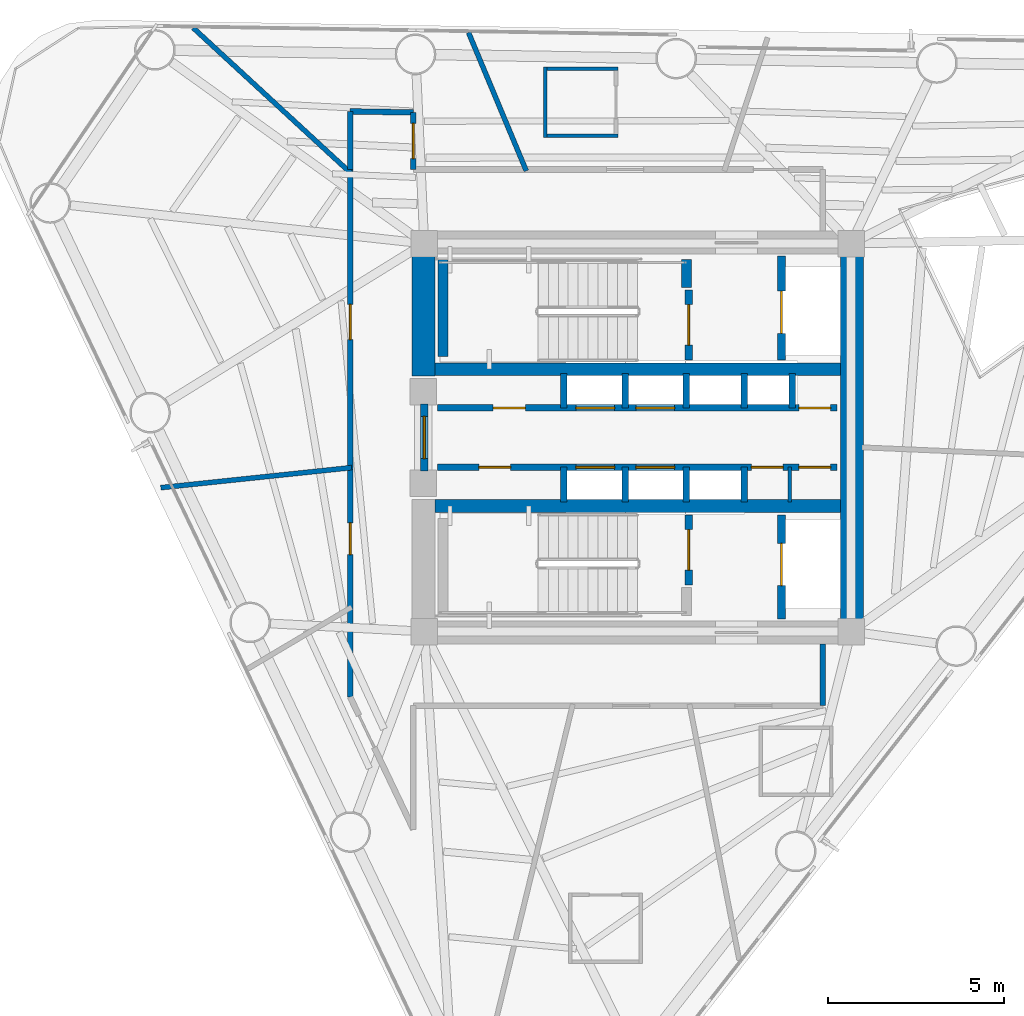
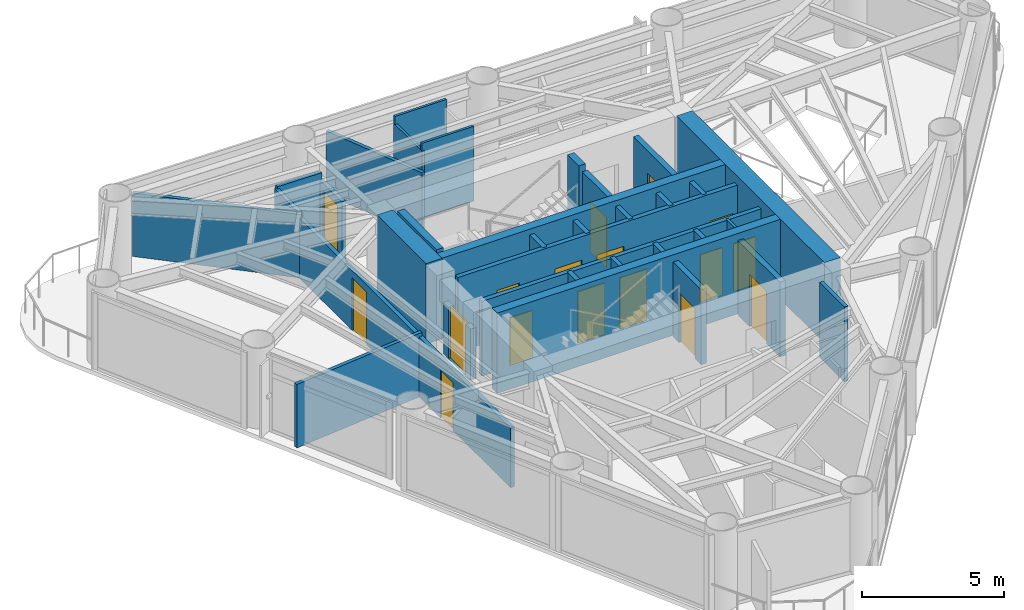
# One storey, part 6 of 10: 34 walls, 17 doors, 17 openings.
"""IFC4 building model written with IfcOpenShell, lengths in metres."""

from ifc_helpers import new_model, si_unit, direction, frame, frame_2d, origin, place, context, subcontext, project, spatial, rectangle, extrude, material, layer, layer_set, type_object, element, fill, save


model = new_model("IFC4")

# Units and contexts
model_context = context("Model", 3, precision=1e-05, world=origin(), true_north=direction((0.0, 1.0)))
body_context = subcontext(model_context, "Body", "Model", "MODEL_VIEW")
ifc_project = project(units=[si_unit("LENGTHUNIT", "METRE"), si_unit("AREAUNIT", "SQUARE_METRE"), si_unit("VOLUMEUNIT", "CUBIC_METRE"), si_unit("PLANEANGLEUNIT", "RADIAN"), si_unit("MASSUNIT", "GRAM", prefix="KILO")], contexts=[model_context])

# Site, building, storey
site_placement = place(None, origin())
site = spatial("IfcSite", under=ifc_project, at=site_placement, CompositionType="ELEMENT")
building_placement = place(site_placement, origin())
building = spatial("IfcBuilding", under=site, at=building_placement, Name="Yunling Apex Tower", CompositionType="ELEMENT")
storey_placement = place(building_placement, frame((0.0, 0.0, 215.60009765625)))
storey = spatial("IfcBuildingStorey", under=building, at=storey_placement, Name="L53", CompositionType="ELEMENT", Elevation=215.60009765625)

# Walls
ifc_material_1 = material(Name="Concrete C50", Category="concrete")
ifc_layer_1 = layer(ifc_material_1, 0.64990234375)
ifc_layer_set_1 = layer_set([ifc_layer_1], Name="Concrete C50")
wall_type_1 = type_object("IfcWallType", Name="WL-COR-2", PredefinedType="SHEAR", material=ifc_layer_set_1)
wall_1_placement = place(storey_placement, frame((6.074951171875, -5.199951171875, 0.0), z_axis=(0.0, 0.0, 1.0), x_axis=(0.0, 1.0, 0.0)))
element("IfcWall", 1, at=wall_1_placement, inside=storey, type_object=wall_type_1, Name="L53 East Core Shear Wall", PredefinedType="SHEAR", context=body_context, shape_type="SweptSolid", body=[
    extrude(rectangle(XDim=10.39990234375, YDim=0.64990234375, at=frame_2d((5.199951171875, 0.0))), origin(), (0.0, 0.0, 1.0), 3.449951171875),
])
wall_2_placement = place(storey_placement, frame((-6.074951171875, 1.75, 0.0), z_axis=(0.0, 0.0, 1.0), x_axis=(0.0, 1.0, 0.0)))
element("IfcWall", 2, at=wall_2_placement, inside=storey, type_object=wall_type_1, Name="L53 West-North Core Shear Wall", PredefinedType="SHEAR", context=body_context, shape_type="SweptSolid", body=[
    extrude(rectangle(XDim=3.449951171875, YDim=0.64990234375, at=frame_2d((1.72509765625, 0.0))), origin(), (0.0, 0.0, 1.0), 3.449951171875),
])
ifc_material_2 = material(Name="Concrete C40", Category="concrete")
ifc_layer_2 = layer(ifc_material_2, 0.360107421875)
ifc_layer_set_2 = layer_set([ifc_layer_2], Name="Concrete C40")
wall_type_2 = type_object("IfcWallType", Name="WL-COR-4", PredefinedType="SHEAR", material=ifc_layer_set_2)
for number, where, z_axis, x_axis, name in (
    (3, (-5.75, 1.93994140625, 0.0), (0.0, 0.0, 1.0), (1.0, 0.0, 0.0), "L53 North Internal Core Shear Wall"),
    (4, (-5.75, -1.93994140625, 0.0), (0.0, 0.0, 1.0), (1.0, 0.0, 0.0), "L53 South Internal Core Shear Wall"),
):
    element("IfcWall", number, at=place(storey_placement, frame(where, z_axis=z_axis, x_axis=x_axis)), inside=storey, type_object=wall_type_2, Name=name, PredefinedType="SHEAR", context=body_context, shape_type="SweptSolid", body=[
        extrude(rectangle(XDim=11.5, YDim=0.360107421875, at=frame_2d((5.75, 0.0))), origin(), (0.0, 0.0, 1.0), 3.449951171875),
    ])
ifc_layer_3 = layer(ifc_material_2, 0.280029296875)
ifc_layer_set_3 = layer_set([ifc_layer_3], Name="Concrete C40")
wall_type_3 = type_object("IfcWallType", Name="WL-COR-8", PredefinedType="SHEAR", material=ifc_layer_set_3)
wall_3_placement = place(storey_placement, frame((-5.52001953125, 2.300048828125, 0.0), z_axis=(0.0, 0.0, 1.0), x_axis=(0.0, 1.0, 0.0)))
element("IfcWall", 5, at=wall_3_placement, inside=storey, type_object=wall_type_3, Name="L53 ST-1 West Landing Bearing Wall", PredefinedType="SHEAR", context=body_context, shape_type="SweptSolid", body=[
    extrude(rectangle(XDim=2.75, YDim=0.280029296875, at=frame_2d((1.375, 0.0))), origin(), (0.0, 0.0, 1.0), 3.449951171875),
])
wall_4_placement = place(storey_placement, frame((1.3798828125, 4.25, 0.0), z_axis=(0.0, 0.0, 1.0), x_axis=(0.0, 1.0, 0.0)))
element("IfcWall", 6, at=wall_4_placement, inside=storey, type_object=wall_type_3, Name="L53 ST-1 East Landing Bearing Pier", PredefinedType="SHEAR", context=body_context, shape_type="SweptSolid", body=[
    extrude(rectangle(XDim=0.800048828125, YDim=0.280029296875, at=frame_2d((0.39990234375, 0.0))), origin(), (0.0, 0.0, 1.0), 3.449951171875),
])

# Wall, openings, doors
ifc_material_3 = material(Name="Gypsum board acoustic partition")
ifc_layer_4 = layer(ifc_material_3, 0.159912109375)
ifc_layer_set_4 = layer_set([ifc_layer_4], Name="Gypsum board acoustic partition")
wall_type_4 = type_object("IfcWallType", Name="WL-PRT-1", PredefinedType="PARTITIONING", material=ifc_layer_set_4)
wall_5_placement = place(storey_placement, frame((-8.14990234375, -7.35546875, 0.0), z_axis=(0.0, 0.0, 1.0), x_axis=(0.0, 1.0, 0.0)))
wall_5 = element("IfcWall", 7, at=wall_5_placement, inside=storey, type_object=wall_type_4, Name="WL-CORR-L53-02", PredefinedType="PARTITIONING", context=body_context, shape_type="SweptSolid", body=[
    extrude(rectangle(XDim=14.95556640625, YDim=0.159912109375, at=frame_2d((7.477783203125, 0.0))), origin(), (0.0, 0.0, 1.0), 2.56494140625),
])
opening_1_placement = place(wall_5_placement, frame((4.0341796875, 0.0, 0.0)))
opening_1 = element("IfcOpeningElement", 8, at=opening_1_placement, cuts=wall_5, Name="Opening DR-SHF-1", PredefinedType="OPENING", context=body_context, shape_type="SweptSolid", body=[
    extrude(rectangle(XDim=0.89990234375, YDim=2.050048828125, at=frame_2d((0.449951171875, 1.02490234375))), frame((0.0, 0.08984375, 0.0), z_axis=(0.0, -1.0, 0.0), x_axis=(1.0, 0.0, 0.0)), (0.0, 0.0, 1.0), 0.179931640625),
])
opening_2_placement = place(wall_5_placement, frame((10.129150390625, 0.0, 0.0)))
opening_2 = element("IfcOpeningElement", 9, at=opening_2_placement, cuts=wall_5, Name="Opening DR-OFF-1", PredefinedType="OPENING", context=body_context, shape_type="SweptSolid", body=[
    extrude(rectangle(XDim=1.0, YDim=2.25, at=frame_2d((0.5, 1.125))), frame((0.0, 0.08984375, 0.0), z_axis=(0.0, -1.0, 0.0), x_axis=(1.0, 0.0, 0.0)), (0.0, 0.0, 1.0), 0.179931640625),
])
ifc_material_4 = material(Name="Bronze anodised aluminium", Category="aluminium")
door_type_1 = type_object("IfcDoorType", Name="DR-OFF-1", OperationType="NOTDEFINED", PredefinedType="DOOR", material=ifc_material_4)
door_1_placement = place(opening_2_placement, origin())
door_1 = element("IfcDoor", 10, at=door_1_placement, inside=storey, type_object=door_type_1, Name="L53 Club Lounge Door", OperationType="SINGLE_SWING_RIGHT", OverallHeight=2.25, OverallWidth=1.0, PredefinedType="DOOR", context=body_context, shape_type="SweptSolid", body=[
    extrude(rectangle(XDim=1.0, YDim=2.25, at=frame_2d((0.5, 1.125))), frame((0.0, 0.02490234375, 0.0), z_axis=(0.0, -1.0, 0.0), x_axis=(1.0, 0.0, 0.0)), (0.0, 0.0, 1.0), 0.050048828125),
])
fill(opening_2, door_1)
ifc_material_5 = material(Name="Steel Q355B", Category="steel")
door_type_2 = type_object("IfcDoorType", Name="DR-SHF-1", OperationType="NOTDEFINED", PredefinedType="DOOR", material=ifc_material_5)
door_2_placement = place(opening_1_placement, origin())
door_2 = element("IfcDoor", 11, at=door_2_placement, inside=storey, type_object=door_type_2, Name="L53 Housekeeping Room Door", OperationType="SINGLE_SWING_LEFT", OverallHeight=2.050048828125, OverallWidth=0.89990234375, PredefinedType="DOOR", context=body_context, shape_type="SweptSolid", body=[
    extrude(rectangle(XDim=0.89990234375, YDim=2.050048828125, at=frame_2d((0.449951171875, 1.02490234375))), frame((0.0, 0.02490234375, 0.0), z_axis=(0.0, -1.0, 0.0), x_axis=(1.0, 0.0, 0.0)), (0.0, 0.0, 1.0), 0.050048828125),
])
fill(opening_1, door_2)

# Walls
wall_6_placement = place(storey_placement, frame((-8.14990234375, 7.60009765625, 0.0), z_axis=(0.0, 0.0, 1.0), x_axis=(0.0, 1.0, 0.0)))
element("IfcWall", 12, at=wall_6_placement, inside=storey, type_object=wall_type_4, Name="WL-CORR-L53-03", PredefinedType="PARTITIONING", context=body_context, shape_type="SweptSolid", body=[
    extrude(rectangle(XDim=1.646240234375, YDim=0.159912109375, at=frame_2d((0.8232421875, 0.0))), origin(), (0.0, 0.0, 1.0), 2.764892578125),
])
wall_7_placement = place(storey_placement, frame((-8.14990234375, 9.246337890625, 0.0), z_axis=(0.0, 0.0, 1.0), x_axis=(0.999859277964, -0.016775704705, 0.0)))
element("IfcWall", 13, at=wall_7_placement, inside=storey, type_object=wall_type_4, Name="WL-CORR-L53-04", PredefinedType="PARTITIONING", context=body_context, shape_type="SweptSolid", body=[
    extrude(rectangle(XDim=1.7900390625, YDim=0.159912109375, at=frame_2d((0.89501953125, 0.0))), origin(), (0.0, 0.0, 1.0), 2.864990234375),
])

# Wall, opening, door
wall_8_placement = place(storey_placement, frame((-6.360107421875, 9.21630859375, 0.0), z_axis=(0.0, 0.0, 1.0), x_axis=(0.0, -1.0, 0.0)))
wall_8 = element("IfcWall", 14, at=wall_8_placement, inside=storey, type_object=wall_type_4, Name="WL-CORR-L53-05", PredefinedType="PARTITIONING", context=body_context, shape_type="SweptSolid", body=[
    extrude(rectangle(XDim=1.6162109375, YDim=0.159912109375, at=frame_2d((0.80810546875, 0.0))), origin(), (0.0, 0.0, 1.0), 2.56494140625),
])
opening_3_placement = place(wall_8_placement, frame((0.30810546875, 0.0, 0.0)))
opening_3 = element("IfcOpeningElement", 15, at=opening_3_placement, cuts=wall_8, Name="Opening DR-OFF-1", PredefinedType="OPENING", context=body_context, shape_type="SweptSolid", body=[
    extrude(rectangle(XDim=1.0, YDim=2.25, at=frame_2d((0.5, 1.125))), frame((0.0, 0.08984375, 0.0), z_axis=(0.0, -1.0, 0.0), x_axis=(1.0, 0.0, 0.0)), (0.0, 0.0, 1.0), 0.179931640625),
])
door_3_placement = place(opening_3_placement, origin())
door_3 = element("IfcDoor", 16, at=door_3_placement, inside=storey, type_object=door_type_1, Name="L53 Club Lounge Door", OperationType="SINGLE_SWING_LEFT", OverallHeight=2.25, OverallWidth=1.0, PredefinedType="DOOR", context=body_context, shape_type="SweptSolid", body=[
    extrude(rectangle(XDim=1.0, YDim=2.25, at=frame_2d((0.5, 1.125))), frame((0.0, 0.02490234375, 0.0), z_axis=(0.0, -1.0, 0.0), x_axis=(1.0, 0.0, 0.0)), (0.0, 0.0, 1.0), 0.050048828125),
])
fill(opening_3, door_3)

# Walls
wall_9_placement = place(storey_placement, frame((5.25, -5.85009765625, 0.0), z_axis=(0.0, 0.0, 1.0), x_axis=(0.0, -1.0, 0.0)))
element("IfcWall", 17, at=wall_9_placement, inside=storey, type_object=wall_type_4, Name="WL-CORR-L53-08", PredefinedType="PARTITIONING", context=body_context, shape_type="SweptSolid", body=[
    extrude(rectangle(XDim=1.75, YDim=0.159912109375, at=frame_2d((0.875, 0.0))), origin(), (0.0, 0.0, 1.0), 3.2099609375),
])
ifc_layer_5 = layer(ifc_material_3, 0.139892578125)
ifc_layer_set_5 = layer_set([ifc_layer_5], Name="Gypsum board acoustic partition")
wall_type_5 = type_object("IfcWallType", Name="WL-PRT-2", PredefinedType="PARTITIONING", material=ifc_layer_set_5)
wall_10_placement = place(storey_placement, frame((-3.1572265625, 7.56005859375, 0.0), z_axis=(0.0, 0.0, 1.0), x_axis=(-0.38535788012, 0.922767199368, 0.0)))
element("IfcWall", 18, at=wall_10_placement, inside=storey, type_object=wall_type_5, Name="WL-RAD-L53-03", PredefinedType="PARTITIONING", context=body_context, shape_type="SweptSolid", body=[
    extrude(rectangle(XDim=4.24853515625, YDim=0.139892578125, at=frame_2d((2.124267578125, 0.0))), origin(), (0.0, 0.0, 1.0), 2.724853515625),
])
wall_11_placement = place(storey_placement, frame((-8.110107421875, 7.47509765625, 0.0), z_axis=(0.0, 0.0, 1.0), x_axis=(-0.735323159751, 0.67771664487, 0.0)))
element("IfcWall", 19, at=wall_11_placement, inside=storey, type_object=wall_type_5, Name="WL-RAD-L53-04", PredefinedType="PARTITIONING", context=body_context, shape_type="SweptSolid", body=[
    extrude(rectangle(XDim=6.102783203125, YDim=0.139892578125, at=frame_2d((3.05126953125, 0.0))), origin(), (0.0, 0.0, 1.0), 2.724853515625),
])
wall_12_placement = place(storey_placement, frame((-8.110107421875, -0.852294921875, 0.0), z_axis=(0.0, 0.0, 1.0), x_axis=(-0.994517501458, -0.104570260086, 0.0)))
element("IfcWall", 20, at=wall_12_placement, inside=storey, type_object=wall_type_5, Name="WL-RAD-L53-05", PredefinedType="PARTITIONING", context=body_context, shape_type="SweptSolid", body=[
    extrude(rectangle(XDim=5.4375, YDim=0.139892578125, at=frame_2d((2.71875, 0.0))), origin(), (0.0, 0.0, 1.0), 2.724853515625),
])
ifc_layer_6 = layer(ifc_material_3, 0.10009765625)
ifc_layer_set_6 = layer_set([ifc_layer_6], Name="Gypsum board acoustic partition")
wall_type_6 = type_object("IfcWallType", Name="WL-PRT-4", PredefinedType="PARTITIONING", material=ifc_layer_set_6)
wall_13_placement = place(storey_placement, frame((4.31005859375, -1.820068359375, 0.0), z_axis=(0.0, 0.0, 1.0), x_axis=(0.0, 1.0, 0.0)))
element("IfcWall", 21, at=wall_13_placement, inside=storey, type_object=wall_type_6, Name="WL-KCDIV-L53", PredefinedType="PARTITIONING", context=body_context, shape_type="SweptSolid", body=[
    extrude(rectangle(XDim=0.97998046875, YDim=0.10009765625, at=frame_2d((0.489990234375, 0.0))), origin(), (0.0, 0.0, 1.0), 3.2099609375),
])
for number, where, z_axis, x_axis, name in (
    (22, (-2.6640625, 10.452880859375, 0.0), (0.0, 0.0, 1.0), (1.0, 0.0, 0.0), "WL-ENS-L53-6N"),
    (23, (-0.56396484375, 8.552978515625, 0.0), (0.0, 0.0, 1.0), (-1.0, 0.0, 0.0), "WL-ENS-L53-6S"),
):
    element("IfcWall", number, at=place(storey_placement, frame(where, z_axis=z_axis, x_axis=x_axis)), inside=storey, type_object=wall_type_6, Name=name, PredefinedType="PARTITIONING", context=body_context, shape_type="SweptSolid", body=[
        extrude(rectangle(XDim=2.10009765625, YDim=0.10009765625, at=frame_2d((1.050048828125, 0.0))), origin(), (0.0, 0.0, 1.0), 3.2099609375),
    ])
wall_14_placement = place(storey_placement, frame((-2.614013671875, 8.5029296875, 0.0), z_axis=(0.0, 0.0, 1.0), x_axis=(0.0, 1.0, 0.0)))
element("IfcWall", 24, at=wall_14_placement, inside=storey, type_object=wall_type_6, Name="WL-ENS-L53-6W", PredefinedType="PARTITIONING", context=body_context, shape_type="SweptSolid", body=[
    extrude(rectangle(XDim=2.0, YDim=0.10009765625, at=frame_2d((1.0, 0.0))), origin(), (0.0, 0.0, 1.0), 2.864990234375),
])

# Wall, opening, door
ifc_material_6 = material(Name="Autoclaved aerated concrete masonry", Category="masonry")
ifc_layer_7 = layer(ifc_material_6, 0.219970703125)
ifc_layer_set_7 = layer_set([ifc_layer_7], Name="Autoclaved aerated concrete masonry")
wall_type_7 = type_object("IfcWallType", Name="WL-SHF-1", PredefinedType="PLUMBINGWALL", material=ifc_layer_set_7)
wall_15_placement = place(storey_placement, frame((-6.050048828125, -0.949951171875, 0.0), z_axis=(0.0, 0.0, 1.0), x_axis=(0.0, 1.0, 0.0)))
wall_15 = element("IfcWall", 25, at=wall_15_placement, inside=storey, type_object=wall_type_7, Name="WL-COR-WPORT-L53", PredefinedType="PLUMBINGWALL", context=body_context, shape_type="SweptSolid", body=[
    extrude(rectangle(XDim=1.89990234375, YDim=0.219970703125, at=frame_2d((0.949951171875, 0.0))), origin(), (0.0, 0.0, 1.0), 2.18994140625),
])
opening_4_placement = place(wall_15_placement, frame((0.35009765625, 0.0, 0.0)))
opening_4 = element("IfcOpeningElement", 26, at=opening_4_placement, cuts=wall_15, Name="Opening DR-FFL-1", PredefinedType="OPENING", context=body_context, shape_type="SweptSolid", body=[
    extrude(rectangle(XDim=1.199951171875, YDim=2.199951171875, at=frame_2d((0.60009765625, 1.10009765625))), frame((0.0, 0.1201171875, 0.0), z_axis=(0.0, -1.0, 0.0), x_axis=(1.0, 0.0, 0.0)), (0.0, 0.0, 1.0), 0.239990234375),
])
door_type_3 = type_object("IfcDoorType", Name="DR-FFL-1", OperationType="NOTDEFINED", PredefinedType="DOOR", material=ifc_material_5)
door_4_placement = place(opening_4_placement, origin())
door_4 = element("IfcDoor", 27, at=door_4_placement, inside=storey, type_object=door_type_3, Name="L53 Passenger Lift Lobby Entrance Door", OperationType="SINGLE_SWING_RIGHT", OverallHeight=2.199951171875, OverallWidth=1.199951171875, PredefinedType="DOOR", context=body_context, shape_type="SweptSolid", body=[
    extrude(rectangle(XDim=1.199951171875, YDim=2.199951171875, at=frame_2d((0.60009765625, 1.10009765625))), frame((0.0, 0.02490234375, 0.0), z_axis=(0.0, -1.0, 0.0), x_axis=(1.0, 0.0, 0.0)), (0.0, 0.0, 1.0), 0.050048828125),
])
fill(opening_4, door_4)

wall_16_placement = place(storey_placement, frame((1.449951171875, 2.199951171875, 0.0), z_axis=(0.0, 0.0, 1.0), x_axis=(0.0, 1.0, 0.0)))
wall_16 = element("IfcWall", 28, at=wall_16_placement, inside=storey, type_object=wall_type_7, Name="WL-ST1-E-L53", PredefinedType="PLUMBINGWALL", context=body_context, shape_type="SweptSolid", body=[
    extrude(rectangle(XDim=1.97998046875, YDim=0.219970703125, at=frame_2d((0.989990234375, 0.0))), origin(), (0.0, 0.0, 1.0), 3.2099609375),
])
opening_5_placement = place(wall_16_placement, frame((0.419921875, 0.0, 0.0)))
opening_5 = element("IfcOpeningElement", 29, at=opening_5_placement, cuts=wall_16, Name="Opening DR-ST-1", PredefinedType="OPENING", context=body_context, shape_type="SweptSolid", body=[
    extrude(rectangle(XDim=1.14990234375, YDim=2.14990234375, at=frame_2d((0.574951171875, 1.074951171875))), frame((0.0, 0.1201171875, 0.0), z_axis=(0.0, -1.0, 0.0), x_axis=(1.0, 0.0, 0.0)), (0.0, 0.0, 1.0), 0.239990234375),
])
door_type_4 = type_object("IfcDoorType", Name="DR-ST-1", OperationType="NOTDEFINED", PredefinedType="DOOR", material=ifc_material_5)
door_5_placement = place(opening_5_placement, origin())
door_5 = element("IfcDoor", 30, at=door_5_placement, inside=storey, type_object=door_type_4, Name="L53 Stair ST-1 Fire Door", OperationType="SINGLE_SWING_RIGHT", OverallHeight=2.14990234375, OverallWidth=1.14990234375, PredefinedType="DOOR", context=body_context, shape_type="SweptSolid", body=[
    extrude(rectangle(XDim=1.14990234375, YDim=2.14990234375, at=frame_2d((0.574951171875, 1.074951171875))), frame((0.0, 0.02490234375, 0.0), z_axis=(0.0, -1.0, 0.0), x_axis=(1.0, 0.0, 0.0)), (0.0, 0.0, 1.0), 0.050048828125),
])
fill(opening_5, door_5)

wall_17_placement = place(storey_placement, frame((4.080078125, 2.199951171875, 0.0), z_axis=(0.0, 0.0, 1.0), x_axis=(0.0, 1.0, 0.0)))
wall_17 = element("IfcWall", 31, at=wall_17_placement, inside=storey, type_object=wall_type_7, Name="WL-FFL1-W-L53", PredefinedType="PLUMBINGWALL", context=body_context, shape_type="SweptSolid", body=[
    extrude(rectangle(XDim=2.949951171875, YDim=0.219970703125, at=frame_2d((1.47509765625, 0.0))), origin(), (0.0, 0.0, 1.0), 3.2099609375),
])
opening_6_placement = place(wall_17_placement, frame((0.75, 0.0, 0.0)))
opening_6 = element("IfcOpeningElement", 32, at=opening_6_placement, cuts=wall_17, Name="Opening LD-FFL-1", PredefinedType="OPENING", context=body_context, shape_type="SweptSolid", body=[
    extrude(rectangle(XDim=1.199951171875, YDim=2.25, at=frame_2d((0.60009765625, 1.125))), frame((0.0, 0.1201171875, 0.0), z_axis=(0.0, -1.0, 0.0), x_axis=(1.0, 0.0, 0.0)), (0.0, 0.0, 1.0), 0.239990234375),
])
door_type_5 = type_object("IfcDoorType", Name="LD-FFL-1", OperationType="DOUBLE_DOOR_SLIDING", PredefinedType="DOOR", material=ifc_material_5)
door_6_placement = place(opening_6_placement, origin())
door_6 = element("IfcDoor", 33, at=door_6_placement, inside=storey, type_object=door_type_5, Name="L53 Lift FFL-1 Landing Door", OperationType="DOUBLE_DOOR_SLIDING", OverallHeight=2.25, OverallWidth=1.199951171875, PredefinedType="DOOR", context=body_context, shape_type="SweptSolid", body=[
    extrude(rectangle(XDim=1.199951171875, YDim=2.25, at=frame_2d((0.60009765625, 1.125))), frame((0.0, 0.02490234375, 0.0), z_axis=(0.0, -1.0, 0.0), x_axis=(1.0, 0.0, 0.0)), (0.0, 0.0, 1.0), 0.050048828125),
])
fill(opening_6, door_6)

wall_18_placement = place(storey_placement, frame((1.449951171875, -4.179931640625, 0.0), z_axis=(0.0, 0.0, 1.0), x_axis=(0.0, 1.0, 0.0)))
wall_18 = element("IfcWall", 34, at=wall_18_placement, inside=storey, type_object=wall_type_7, Name="WL-ST2-E-L53", PredefinedType="PLUMBINGWALL", context=body_context, shape_type="SweptSolid", body=[
    extrude(rectangle(XDim=1.97998046875, YDim=0.219970703125, at=frame_2d((0.989990234375, 0.0))), origin(), (0.0, 0.0, 1.0), 3.2099609375),
])
opening_7_placement = place(wall_18_placement, frame((0.419921875, 0.0, 0.0)))
opening_7 = element("IfcOpeningElement", 35, at=opening_7_placement, cuts=wall_18, Name="Opening DR-ST-1", PredefinedType="OPENING", context=body_context, shape_type="SweptSolid", body=[
    extrude(rectangle(XDim=1.14990234375, YDim=2.14990234375, at=frame_2d((0.574951171875, 1.074951171875))), frame((0.0, 0.1201171875, 0.0), z_axis=(0.0, -1.0, 0.0), x_axis=(1.0, 0.0, 0.0)), (0.0, 0.0, 1.0), 0.239990234375),
])
door_7_placement = place(opening_7_placement, origin())
door_7 = element("IfcDoor", 36, at=door_7_placement, inside=storey, type_object=door_type_4, Name="L53 Stair ST-2 Fire Door", OperationType="SINGLE_SWING_LEFT", OverallHeight=2.14990234375, OverallWidth=1.14990234375, PredefinedType="DOOR", context=body_context, shape_type="SweptSolid", body=[
    extrude(rectangle(XDim=1.14990234375, YDim=2.14990234375, at=frame_2d((0.574951171875, 1.074951171875))), frame((0.0, 0.02490234375, 0.0), z_axis=(0.0, -1.0, 0.0), x_axis=(1.0, 0.0, 0.0)), (0.0, 0.0, 1.0), 0.050048828125),
])
fill(opening_7, door_7)

wall_19_placement = place(storey_placement, frame((4.080078125, -5.14990234375, 0.0), z_axis=(0.0, 0.0, 1.0), x_axis=(0.0, 1.0, 0.0)))
wall_19 = element("IfcWall", 37, at=wall_19_placement, inside=storey, type_object=wall_type_7, Name="WL-FFL2-W-L53", PredefinedType="PLUMBINGWALL", context=body_context, shape_type="SweptSolid", body=[
    extrude(rectangle(XDim=2.949951171875, YDim=0.219970703125, at=frame_2d((1.47509765625, 0.0))), origin(), (0.0, 0.0, 1.0), 3.2099609375),
])
opening_8_placement = place(wall_19_placement, frame((0.949951171875, 0.0, 0.0)))
opening_8 = element("IfcOpeningElement", 38, at=opening_8_placement, cuts=wall_19, Name="Opening LD-FFL-1", PredefinedType="OPENING", context=body_context, shape_type="SweptSolid", body=[
    extrude(rectangle(XDim=1.199951171875, YDim=2.25, at=frame_2d((0.60009765625, 1.125))), frame((0.0, 0.1201171875, 0.0), z_axis=(0.0, -1.0, 0.0), x_axis=(1.0, 0.0, 0.0)), (0.0, 0.0, 1.0), 0.239990234375),
])
door_8_placement = place(opening_8_placement, origin())
door_8 = element("IfcDoor", 39, at=door_8_placement, inside=storey, type_object=door_type_5, Name="L53 Lift FFL-2 Landing Door", OperationType="DOUBLE_DOOR_SLIDING", OverallHeight=2.25, OverallWidth=1.199951171875, PredefinedType="DOOR", context=body_context, shape_type="SweptSolid", body=[
    extrude(rectangle(XDim=1.199951171875, YDim=2.25, at=frame_2d((0.60009765625, 1.125))), frame((0.0, 0.02490234375, 0.0), z_axis=(0.0, -1.0, 0.0), x_axis=(1.0, 0.0, 0.0)), (0.0, 0.0, 1.0), 0.050048828125),
])
fill(opening_8, door_8)

# Walls
ifc_layer_8 = layer(ifc_material_6, 0.179931640625)
ifc_layer_set_8 = layer_set([ifc_layer_8], Name="Autoclaved aerated concrete masonry")
wall_type_8 = type_object("IfcWallType", Name="WL-SHF-2", PredefinedType="PLUMBINGWALL", material=ifc_layer_set_8)
for number, where, z_axis, x_axis, name in (
    (40, (-2.10009765625, 0.840087890625, 0.0), (0.0, 0.0, 1.0), (0.0, 1.0, 0.0), "WL-BNK-LM-N-L53"),
    (41, (-2.10009765625, -1.820068359375, 0.0), (0.0, 0.0, 1.0), (0.0, 1.0, 0.0), "WL-BNK-LM-S-L53"),
    (42, (-0.35009765625, 0.840087890625, 0.0), (0.0, 0.0, 1.0), (0.0, 1.0, 0.0), "WL-DIV-M12-L53"),
    (43, (-0.35009765625, -1.820068359375, 0.0), (0.0, 0.0, 1.0), (0.0, 1.0, 0.0), "WL-DIV-M34-L53"),
    (44, (1.3798828125, 0.840087890625, 0.0), (0.0, 0.0, 1.0), (0.0, 1.0, 0.0), "WL-BNK-MH-N-L53"),
    (45, (1.3798828125, -1.820068359375, 0.0), (0.0, 0.0, 1.0), (0.0, 1.0, 0.0), "WL-BNK-MH-S-L53"),
    (46, (3.02001953125, 0.840087890625, 0.0), (0.0, 0.0, 1.0), (0.0, 1.0, 0.0), "WL-DIV-H13-L53"),
    (47, (4.3798828125, 0.840087890625, 0.0), (0.0, 0.0, 1.0), (0.0, 1.0, 0.0), "WL-END-H3E-L53"),
    (48, (3.02001953125, -1.820068359375, 0.0), (0.0, 0.0, 1.0), (0.0, 1.0, 0.0), "WL-END-H2E-L53"),
):
    element("IfcWall", number, at=place(storey_placement, frame(where, z_axis=z_axis, x_axis=x_axis)), inside=storey, type_object=wall_type_8, Name=name, PredefinedType="PLUMBINGWALL", context=body_context, shape_type="SweptSolid", body=[
        extrude(rectangle(XDim=0.97998046875, YDim=0.179931640625, at=frame_2d((0.489990234375, 0.0))), origin(), (0.0, 0.0, 1.0), 3.2099609375),
    ])

# Wall, openings, doors
wall_20_placement = place(storey_placement, frame((-5.679931640625, 0.840087890625, 0.0), z_axis=(0.0, 0.0, 1.0), x_axis=(1.0, 0.0, 0.0)))
wall_20 = element("IfcWall", 49, at=wall_20_placement, inside=storey, type_object=wall_type_8, Name="WL-LOB-N-L53", PredefinedType="PLUMBINGWALL", context=body_context, shape_type="SweptSolid", body=[
    extrude(rectangle(XDim=11.329833984375, YDim=0.179931640625, at=frame_2d((5.6650390625, 0.0))), origin(), (0.0, 0.0, 1.0), 3.2099609375),
])
opening_9_placement = place(wall_20_placement, frame((1.580078125, 0.0, 0.0)))
opening_9 = element("IfcOpeningElement", 50, at=opening_9_placement, cuts=wall_20, Name="Opening DR-WC-1", PredefinedType="OPENING", context=body_context, shape_type="SweptSolid", body=[
    extrude(rectangle(XDim=0.919921875, YDim=2.10009765625, at=frame_2d((0.4599609375, 1.050048828125))), frame((0.0, 0.10009765625, 0.0), z_axis=(0.0, -1.0, 0.0), x_axis=(1.0, 0.0, 0.0)), (0.0, 0.0, 1.0), 0.199951171875),
])
opening_10_placement = place(wall_20_placement, frame((3.929931640625, 0.0, 0.0)))
opening_10 = element("IfcOpeningElement", 51, at=opening_10_placement, cuts=wall_20, Name="Opening LD-PAS-1", PredefinedType="OPENING", context=body_context, shape_type="SweptSolid", body=[
    extrude(rectangle(XDim=1.10009765625, YDim=2.199951171875, at=frame_2d((0.550048828125, 1.10009765625))), frame((0.0, 0.10009765625, 0.0), z_axis=(0.0, -1.0, 0.0), x_axis=(1.0, 0.0, 0.0)), (0.0, 0.0, 1.0), 0.199951171875),
])
opening_11_placement = place(wall_20_placement, frame((5.6298828125, 0.0, 0.0)))
opening_11 = element("IfcOpeningElement", 52, at=opening_11_placement, cuts=wall_20, Name="Opening LD-PAS-1", PredefinedType="OPENING", context=body_context, shape_type="SweptSolid", body=[
    extrude(rectangle(XDim=1.10009765625, YDim=2.199951171875, at=frame_2d((0.550048828125, 1.10009765625))), frame((0.0, 0.10009765625, 0.0), z_axis=(0.0, -1.0, 0.0), x_axis=(1.0, 0.0, 0.0)), (0.0, 0.0, 1.0), 0.199951171875),
])
opening_12_placement = place(wall_20_placement, frame((10.25, 0.0, 0.0)))
opening_12 = element("IfcOpeningElement", 53, at=opening_12_placement, cuts=wall_20, Name="Opening DR-SHF-1", PredefinedType="OPENING", context=body_context, shape_type="SweptSolid", body=[
    extrude(rectangle(XDim=0.89990234375, YDim=2.050048828125, at=frame_2d((0.449951171875, 1.02490234375))), frame((0.0, 0.10009765625, 0.0), z_axis=(0.0, -1.0, 0.0), x_axis=(1.0, 0.0, 0.0)), (0.0, 0.0, 1.0), 0.199951171875),
])
door_9_placement = place(opening_12_placement, origin())
door_9 = element("IfcDoor", 54, at=door_9_placement, inside=storey, type_object=door_type_2, Name="L53 Floor Supply Store Door", OperationType="SINGLE_SWING_LEFT", OverallHeight=2.050048828125, OverallWidth=0.89990234375, PredefinedType="DOOR", context=body_context, shape_type="SweptSolid", body=[
    extrude(rectangle(XDim=0.89990234375, YDim=2.050048828125, at=frame_2d((0.449951171875, 1.02490234375))), frame((0.0, 0.02490234375, 0.0), z_axis=(0.0, -1.0, 0.0), x_axis=(1.0, 0.0, 0.0)), (0.0, 0.0, 1.0), 0.050048828125),
])
fill(opening_12, door_9)
ifc_material_7 = material(Name="Timber moisture-resistant leaf", Category="wood")
door_type_6 = type_object("IfcDoorType", Name="DR-WC-1", OperationType="NOTDEFINED", PredefinedType="DOOR", material=ifc_material_7)
door_10_placement = place(opening_9_placement, origin())
door_10 = element("IfcDoor", 55, at=door_10_placement, inside=storey, type_object=door_type_6, Name="L53 Floor Staff WC Door", OperationType="SINGLE_SWING_RIGHT", OverallHeight=2.10009765625, OverallWidth=0.919921875, PredefinedType="DOOR", context=body_context, shape_type="SweptSolid", body=[
    extrude(rectangle(XDim=0.919921875, YDim=2.10009765625, at=frame_2d((0.4599609375, 1.050048828125))), frame((0.0, 0.02490234375, 0.0), z_axis=(0.0, -1.0, 0.0), x_axis=(1.0, 0.0, 0.0)), (0.0, 0.0, 1.0), 0.050048828125),
])
fill(opening_9, door_10)
ifc_material_8 = material(Name="Silver anodised aluminium", Category="aluminium")
door_type_7 = type_object("IfcDoorType", Name="LD-PAS-1", OperationType="DOUBLE_DOOR_SLIDING", PredefinedType="DOOR", material=ifc_material_8)
door_11_placement = place(opening_10_placement, origin())
door_11 = element("IfcDoor", 56, at=door_11_placement, inside=storey, type_object=door_type_7, Name="L53 Lift PL-M1 Landing Door", OperationType="DOUBLE_DOOR_SLIDING", OverallHeight=2.199951171875, OverallWidth=1.10009765625, PredefinedType="DOOR", context=body_context, shape_type="SweptSolid", body=[
    extrude(rectangle(XDim=1.10009765625, YDim=2.199951171875, at=frame_2d((0.550048828125, 1.10009765625))), frame((0.0, 0.02490234375, 0.0), z_axis=(0.0, -1.0, 0.0), x_axis=(1.0, 0.0, 0.0)), (0.0, 0.0, 1.0), 0.050048828125),
])
fill(opening_10, door_11)
door_12_placement = place(opening_11_placement, origin())
door_12 = element("IfcDoor", 57, at=door_12_placement, inside=storey, type_object=door_type_7, Name="L53 Lift PL-M2 Landing Door", OperationType="DOUBLE_DOOR_SLIDING", OverallHeight=2.199951171875, OverallWidth=1.10009765625, PredefinedType="DOOR", context=body_context, shape_type="SweptSolid", body=[
    extrude(rectangle(XDim=1.10009765625, YDim=2.199951171875, at=frame_2d((0.550048828125, 1.10009765625))), frame((0.0, 0.02490234375, 0.0), z_axis=(0.0, -1.0, 0.0), x_axis=(1.0, 0.0, 0.0)), (0.0, 0.0, 1.0), 0.050048828125),
])
fill(opening_11, door_12)

wall_21_placement = place(storey_placement, frame((-5.679931640625, -0.840087890625, 0.0), z_axis=(0.0, 0.0, 1.0), x_axis=(1.0, 0.0, 0.0)))
wall_21 = element("IfcWall", 58, at=wall_21_placement, inside=storey, type_object=wall_type_8, Name="WL-LOB-S-L53", PredefinedType="PLUMBINGWALL", context=body_context, shape_type="SweptSolid", body=[
    extrude(rectangle(XDim=11.329833984375, YDim=0.179931640625, at=frame_2d((5.6650390625, 0.0))), origin(), (0.0, 0.0, 1.0), 3.2099609375),
])
opening_13_placement = place(wall_21_placement, frame((1.179931640625, 0.0, 0.0)))
opening_13 = element("IfcOpeningElement", 59, at=opening_13_placement, cuts=wall_21, Name="Opening DR-SHF-1", PredefinedType="OPENING", context=body_context, shape_type="SweptSolid", body=[
    extrude(rectangle(XDim=0.89990234375, YDim=2.050048828125, at=frame_2d((0.449951171875, 1.02490234375))), frame((0.0, 0.10009765625, 0.0), z_axis=(0.0, -1.0, 0.0), x_axis=(1.0, 0.0, 0.0)), (0.0, 0.0, 1.0), 0.199951171875),
])
opening_14_placement = place(wall_21_placement, frame((3.929931640625, 0.0, 0.0)))
opening_14 = element("IfcOpeningElement", 60, at=opening_14_placement, cuts=wall_21, Name="Opening LD-PAS-1", PredefinedType="OPENING", context=body_context, shape_type="SweptSolid", body=[
    extrude(rectangle(XDim=1.10009765625, YDim=2.199951171875, at=frame_2d((0.550048828125, 1.10009765625))), frame((0.0, 0.10009765625, 0.0), z_axis=(0.0, -1.0, 0.0), x_axis=(1.0, 0.0, 0.0)), (0.0, 0.0, 1.0), 0.199951171875),
])
opening_15_placement = place(wall_21_placement, frame((5.6298828125, 0.0, 0.0)))
opening_15 = element("IfcOpeningElement", 61, at=opening_15_placement, cuts=wall_21, Name="Opening LD-PAS-1", PredefinedType="OPENING", context=body_context, shape_type="SweptSolid", body=[
    extrude(rectangle(XDim=1.10009765625, YDim=2.199951171875, at=frame_2d((0.550048828125, 1.10009765625))), frame((0.0, 0.10009765625, 0.0), z_axis=(0.0, -1.0, 0.0), x_axis=(1.0, 0.0, 0.0)), (0.0, 0.0, 1.0), 0.199951171875),
])
opening_16_placement = place(wall_21_placement, frame((8.89990234375, 0.0, 0.0)))
opening_16 = element("IfcOpeningElement", 62, at=opening_16_placement, cuts=wall_21, Name="Opening DR-SHF-1", PredefinedType="OPENING", context=body_context, shape_type="SweptSolid", body=[
    extrude(rectangle(XDim=0.89990234375, YDim=2.050048828125, at=frame_2d((0.449951171875, 1.02490234375))), frame((0.0, 0.10009765625, 0.0), z_axis=(0.0, -1.0, 0.0), x_axis=(1.0, 0.0, 0.0)), (0.0, 0.0, 1.0), 0.199951171875),
])
opening_17_placement = place(wall_21_placement, frame((10.25, 0.0, 0.0)))
opening_17 = element("IfcOpeningElement", 63, at=opening_17_placement, cuts=wall_21, Name="Opening DR-SHF-1", PredefinedType="OPENING", context=body_context, shape_type="SweptSolid", body=[
    extrude(rectangle(XDim=0.89990234375, YDim=2.050048828125, at=frame_2d((0.449951171875, 1.02490234375))), frame((0.0, 0.10009765625, 0.0), z_axis=(0.0, -1.0, 0.0), x_axis=(1.0, 0.0, 0.0)), (0.0, 0.0, 1.0), 0.199951171875),
])
door_13_placement = place(opening_13_placement, origin())
door_13 = element("IfcDoor", 64, at=door_13_placement, inside=storey, type_object=door_type_2, Name="L53 Archive Store Door", OperationType="SINGLE_SWING_RIGHT", OverallHeight=2.050048828125, OverallWidth=0.89990234375, PredefinedType="DOOR", context=body_context, shape_type="SweptSolid", body=[
    extrude(rectangle(XDim=0.89990234375, YDim=2.050048828125, at=frame_2d((0.449951171875, 1.02490234375))), frame((0.0, 0.02490234375, 0.0), z_axis=(0.0, -1.0, 0.0), x_axis=(1.0, 0.0, 0.0)), (0.0, 0.0, 1.0), 0.050048828125),
])
fill(opening_13, door_13)
door_14_placement = place(opening_16_placement, origin())
door_14 = element("IfcDoor", 65, at=door_14_placement, inside=storey, type_object=door_type_2, Name="L53 LV Closet Door", OperationType="SINGLE_SWING_LEFT", OverallHeight=2.050048828125, OverallWidth=0.89990234375, PredefinedType="DOOR", context=body_context, shape_type="SweptSolid", body=[
    extrude(rectangle(XDim=0.89990234375, YDim=2.050048828125, at=frame_2d((0.449951171875, 1.02490234375))), frame((0.0, 0.02490234375, 0.0), z_axis=(0.0, -1.0, 0.0), x_axis=(1.0, 0.0, 0.0)), (0.0, 0.0, 1.0), 0.050048828125),
])
fill(opening_16, door_14)
door_15_placement = place(opening_17_placement, origin())
door_15 = element("IfcDoor", 66, at=door_15_placement, inside=storey, type_object=door_type_2, Name="L53 Standpipe Closet Door", OperationType="SINGLE_SWING_RIGHT", OverallHeight=2.050048828125, OverallWidth=0.89990234375, PredefinedType="DOOR", context=body_context, shape_type="SweptSolid", body=[
    extrude(rectangle(XDim=0.89990234375, YDim=2.050048828125, at=frame_2d((0.449951171875, 1.02490234375))), frame((0.0, 0.02490234375, 0.0), z_axis=(0.0, -1.0, 0.0), x_axis=(1.0, 0.0, 0.0)), (0.0, 0.0, 1.0), 0.050048828125),
])
fill(opening_17, door_15)
door_16_placement = place(opening_14_placement, origin())
door_16 = element("IfcDoor", 67, at=door_16_placement, inside=storey, type_object=door_type_7, Name="L53 Lift PL-M3 Landing Door", OperationType="DOUBLE_DOOR_SLIDING", OverallHeight=2.199951171875, OverallWidth=1.10009765625, PredefinedType="DOOR", context=body_context, shape_type="SweptSolid", body=[
    extrude(rectangle(XDim=1.10009765625, YDim=2.199951171875, at=frame_2d((0.550048828125, 1.10009765625))), frame((0.0, 0.02490234375, 0.0), z_axis=(0.0, -1.0, 0.0), x_axis=(1.0, 0.0, 0.0)), (0.0, 0.0, 1.0), 0.050048828125),
])
fill(opening_14, door_16)
door_17_placement = place(opening_15_placement, origin())
door_17 = element("IfcDoor", 68, at=door_17_placement, inside=storey, type_object=door_type_7, Name="L53 Lift PL-M4 Landing Door", OperationType="DOUBLE_DOOR_SLIDING", OverallHeight=2.199951171875, OverallWidth=1.10009765625, PredefinedType="DOOR", context=body_context, shape_type="SweptSolid", body=[
    extrude(rectangle(XDim=1.10009765625, YDim=2.199951171875, at=frame_2d((0.550048828125, 1.10009765625))), frame((0.0, 0.02490234375, 0.0), z_axis=(0.0, -1.0, 0.0), x_axis=(1.0, 0.0, 0.0)), (0.0, 0.0, 1.0), 0.050048828125),
])
fill(opening_15, door_17)

save(model, "model.ifc")
